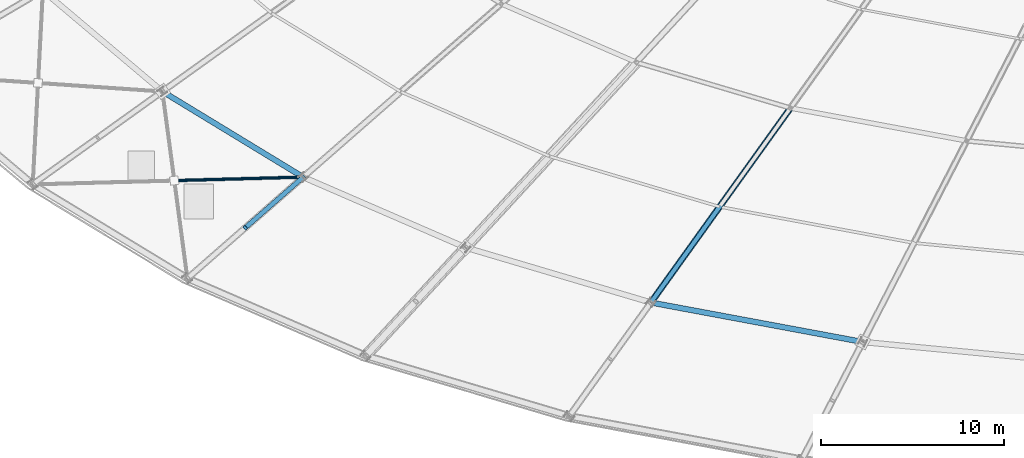
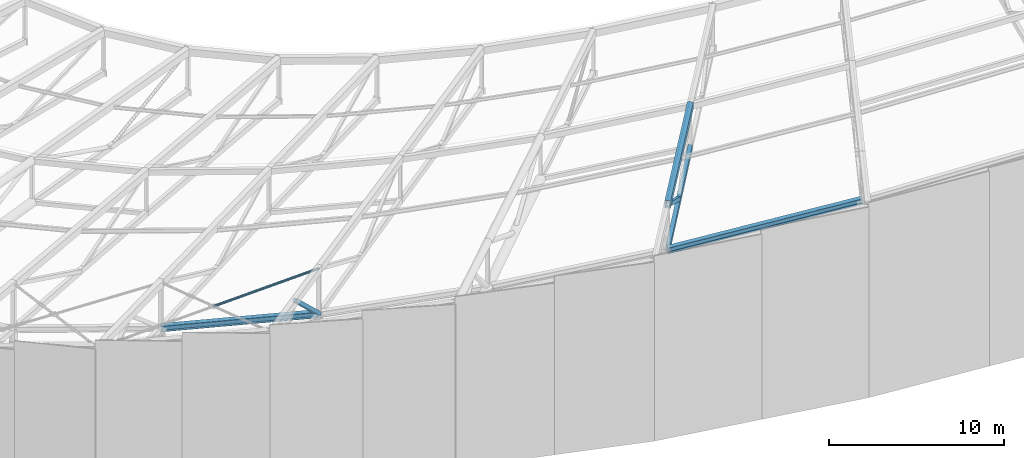
# One storey, part 18 of 143: 4 beams, 3 members.
"""IFC4 building model written with IfcOpenShell, lengths in metres."""

from ifc_helpers import new_model, si_unit, direction, frame, origin, origin_2d, place, context, subcontext, project, spatial, hollow_rectangle, hollow_circle, i_section, extrude, material, material_profile, profile_set, type_object, element, save


model = new_model("IFC4")

# Units and contexts
model_context = context("Model", 3, precision=1e-05, world=origin(), true_north=direction((0.0, 1.0)))
body_context = subcontext(model_context, "Body", "Model", "MODEL_VIEW")
ifc_project = project(units=[si_unit("LENGTHUNIT", "METRE"), si_unit("AREAUNIT", "SQUARE_METRE"), si_unit("VOLUMEUNIT", "CUBIC_METRE"), si_unit("PLANEANGLEUNIT", "RADIAN"), si_unit("MASSUNIT", "GRAM", prefix="KILO")], contexts=[model_context])

# Site, building, storey
site_placement = place(None, origin())
site = spatial("IfcSite", under=ifc_project, at=site_placement, CompositionType="ELEMENT")
building_placement = place(site_placement, origin())
building = spatial("IfcBuilding", under=site, at=building_placement, Name="Mphavela Belvedere Stadium", CompositionType="ELEMENT")
storey_placement = place(building_placement, frame((0.0, 0.0, 28.800048828125)))
storey = spatial("IfcBuildingStorey", under=building, at=storey_placement, Name="RF", CompositionType="ELEMENT", Elevation=28.800048828125)

# Beams
ifc_material_1 = material(Name="Steel S355", Category="steel")
ifc_material_profile_1 = material_profile(ifc_material_1, i_section(OverallWidth=0.300048828125, OverallDepth=0.39990234375, WebThickness=0.013427734375, FlangeThickness=0.02392578125, at=origin_2d()), Name="HEB 400")
ifc_profile_set_1 = profile_set([ifc_material_profile_1], Name="Steel S355")
beam_type_1 = type_object("IfcBeamType", Name="BM-STEEL-HEB400", PredefinedType="BEAM", material=ifc_profile_set_1)
beam_1_placement = place(storey_placement, frame((42.938720703125, 35.368408203125, 4.701171875), z_axis=(0.847668189677, -0.5157113945, 0.124500593545), x_axis=(0.519755333579, 0.854315160357, 0.0)))
element("IfcBeam", 1, at=beam_1_placement, inside=storey, type_object=beam_type_1, Name="Roof bottom-chord tie girder R3-31", PredefinedType="BEAM", context=body_context, shape_type="SweptSolid", body=[
    extrude(i_section(OverallWidth=0.300048828125, OverallDepth=0.39990234375, WebThickness=0.013427734375, FlangeThickness=0.02392578125, at=origin_2d()), origin(), (0.0, 0.0, 1.0), 9.085205078125),
])
beam_2_placement = place(storey_placement, frame((69.662109375, 23.822509765625, 7.791259765625), z_axis=(0.981396426974, -0.182764743443, 0.058805626242), x_axis=(0.18308157494, 0.983097725009, 0.0)))
element("IfcBeam", 2, at=beam_2_placement, inside=storey, type_object=beam_type_1, Name="Roof bottom-chord tie girder R3-34", PredefinedType="BEAM", context=body_context, shape_type="SweptSolid", body=[
    extrude(i_section(OverallWidth=0.300048828125, OverallDepth=0.39990234375, WebThickness=0.013427734375, FlangeThickness=0.02392578125, at=origin_2d()), origin(), (0.0, 0.0, 1.0), 11.807373046875),
])
ifc_material_2 = material(Name="Steel S355", Category="steel")
ifc_material_profile_2 = material_profile(ifc_material_2, hollow_rectangle(XDim=0.25, YDim=0.39990234375, WallThickness=0.01611328125, at=origin_2d()), Name="RHS 400x250x16")
ifc_profile_set_2 = profile_set([ifc_material_profile_2], Name="Steel S355")
beam_type_2 = type_object("IfcBeamType", Name="BM-TRUSS-BC2", PredefinedType="BEAM", material=ifc_profile_set_2)
beam_3_placement = place(storey_placement, frame((69.662109375, 23.822509765625, 7.791259765625), z_axis=(0.576374993034, 0.803150316464, -0.150802641117), x_axis=(-0.812441487165, 0.583042734226, 0.0)))
element("IfcBeam", 3, at=beam_3_placement, inside=storey, type_object=beam_type_2, Name="Radial roof truss RT-34 bottom chord 2", PredefinedType="BEAM", context=body_context, shape_type="SweptSolid", body=[
    extrude(hollow_rectangle(XDim=0.25, YDim=0.39990234375, WallThickness=0.01611328125, at=origin_2d()), origin(), (0.0, 0.0, 1.0), 13.24609375),
])
ifc_material_3 = material(Name="Steel S355", Category="steel")
ifc_material_profile_3 = material_profile(ifc_material_3, hollow_rectangle(XDim=0.35009765625, YDim=0.5, WallThickness=0.02001953125, at=origin_2d()), Name="RHS 500x350x20")
ifc_profile_set_3 = profile_set([ifc_material_profile_3], Name="Steel S355")
beam_type_3 = type_object("IfcBeamType", Name="BM-TRUSS-TC2", PredefinedType="BEAM", material=ifc_profile_set_3)
beam_4_placement = place(storey_placement, frame((69.662109375, 23.822509765625, 10.941162109375), z_axis=(0.574641541485, 0.800734836651, -0.169147332738), x_axis=(-0.812441487165, 0.583042734226, 0.0)))
element("IfcBeam", 4, at=beam_4_placement, inside=storey, type_object=beam_type_3, Name="Radial roof truss RT-34 top chord 2", PredefinedType="BEAM", context=body_context, shape_type="SweptSolid", body=[
    extrude(hollow_rectangle(XDim=0.35009765625, YDim=0.5, WallThickness=0.02001953125, at=origin_2d()), origin(), (0.0, 0.0, 1.0), 13.2861328125),
])

# Members
ifc_material_4 = material(Name="Steel S355", Category="steel")
ifc_material_profile_4 = material_profile(ifc_material_4, hollow_rectangle(XDim=0.25, YDim=0.25, WallThickness=0.012451171875, at=origin_2d()), Name="SHS 250x250x12.5")
ifc_profile_set_4 = profile_set([ifc_material_profile_4], Name="Steel S355")
member_type_1 = type_object("IfcMemberType", Name="MEM-POST-SHS250", PredefinedType="POST", material=ifc_profile_set_4)
member_1_placement = place(storey_placement, frame((47.4716796875, 27.9111328125, 9.542724609375), z_axis=(0.564593708494, 0.49398142608, -0.661223332179), x_axis=(-0.658475866476, 0.752601842457, 0.0)))
element("IfcMember", 5, at=member_1_placement, inside=storey, type_object=member_type_1, Name="Radial roof truss RT-32 web diagonal D2", PredefinedType="POST", context=body_context, shape_type="SweptSolid", body=[
    extrude(hollow_rectangle(XDim=0.25, YDim=0.25, WallThickness=0.012451171875, at=origin_2d()), origin(), (0.0, 0.0, 1.0), 5.611572265625),
])
member_2_placement = place(storey_placement, frame((69.662109375, 23.822509765625, 10.941162109375), z_axis=(0.49248598219, 0.686286586463, -0.535227314873), x_axis=(-0.812454162392, 0.583025071512, 0.0)))
element("IfcMember", 6, at=member_2_placement, inside=storey, type_object=member_type_1, Name="Radial roof truss RT-34 web diagonal D3", PredefinedType="POST", context=body_context, shape_type="SweptSolid", body=[
    extrude(hollow_rectangle(XDim=0.25, YDim=0.25, WallThickness=0.012451171875, at=origin_2d()), origin(), (0.0, 0.0, 1.0), 7.751220703125),
])
ifc_material_5 = material(Name="Steel S355", Category="steel")
ifc_material_profile_5 = material_profile(ifc_material_5, hollow_circle(Radius=0.084228515625, WallThickness=0.010009765625, at=origin_2d()), Name="CHS 168.3x10")
ifc_profile_set_5 = profile_set([ifc_material_profile_5], Name="Steel S355")
member_type_2 = type_object("IfcMemberType", Name="MEM-ROOF-XBRACE", PredefinedType="BRACE", material=ifc_profile_set_5)
member_3_placement = place(storey_placement, frame((43.589111328125, 30.49365234375, 8.924560546875), z_axis=(0.999605851203, 0.026859215392, 0.008168524269), x_axis=(-0.026860111525, 0.999639202117, 0.0)))
element("IfcMember", 7, at=member_3_placement, inside=storey, type_object=member_type_2, Name="Roof diaphragm split X-brace B2 31", PredefinedType="BRACE", context=body_context, shape_type="SweptSolid", body=[
    extrude(hollow_circle(Radius=0.084228515625, WallThickness=0.010009765625, at=origin_2d()), origin(), (0.0, 0.0, 1.0), 7.053466796875),
])

save(model, "model.ifc")
